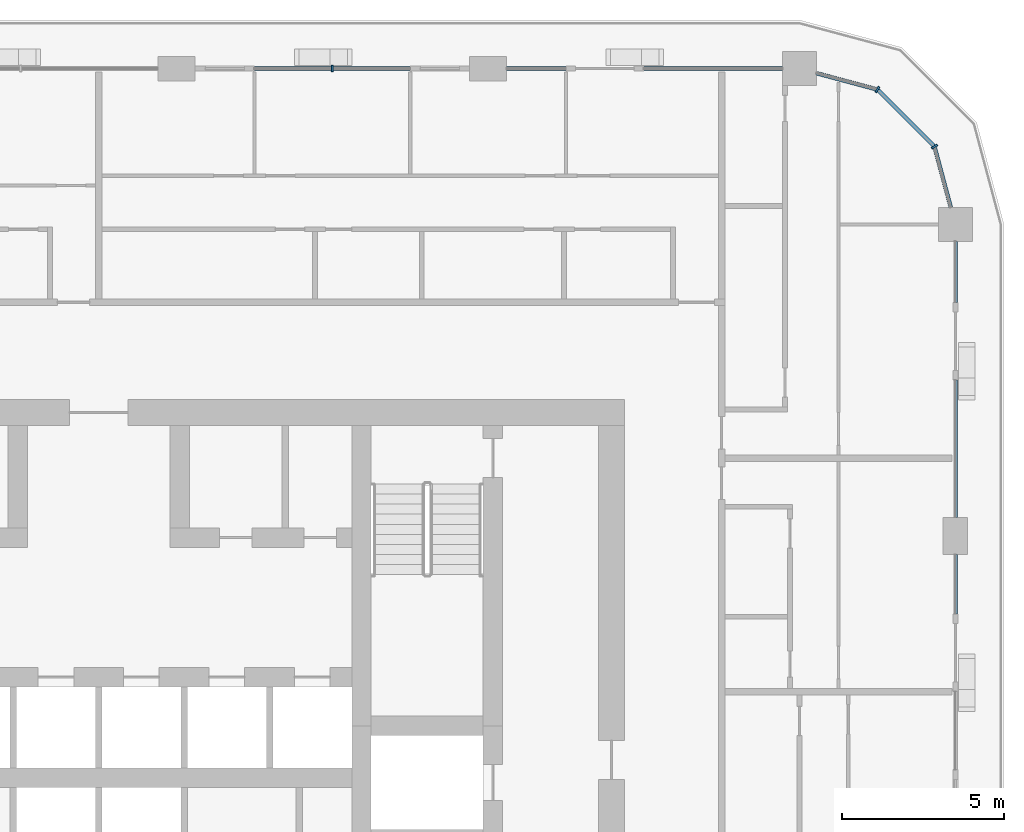
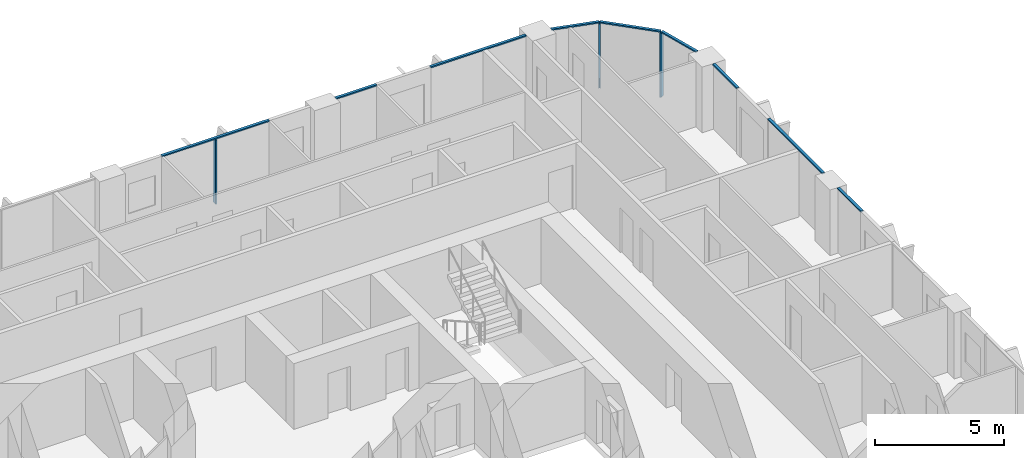
# One storey, part 6 of 22: 12 members, 5 elements without a shape of their own.
"""IFC4 building model written with IfcOpenShell, lengths in metres."""

import ifcopenshell
import ifcopenshell.guid

model = None  # the IFC model being written
_history = None  # IfcOwnerHistory: only IFC2X3 demands one
_inside = {}  # id of a spatial element -> (the spatial element, [elements in it])
_under = {}  # id of a project, library or spatial element -> (it, [spatial elements below it])
_declared = {}  # id of a project -> (the project, [libraries it declares])
_typed = {}  # id of a type object -> (the type object, [elements of that type])
_made_of = {}  # id of a material, layer set ... -> (it, [elements and type objects made of it])


def new_model(schema):
    """Start an empty IFC model of exactly this schema.

    Asked for "IFC4X3", IfcOpenShell would pick the latest addendum, in which some entities
    have other attributes; the version numbers below select the first issue.
    IFC2X3 requires an IfcOwnerHistory on every rooted entity: one is made here for all.
    """
    global model, _history
    if schema == "IFC4X3":
        model = ifcopenshell.file(schema_version=(4, 3, 0, 0))
    else:
        model = ifcopenshell.file(schema=schema)
    _inside.clear()
    _under.clear()
    _declared.clear()
    _typed.clear()
    _made_of.clear()
    _history = None
    if model.schema == "IFC2X3":
        org = make("IfcOrganization", Name="unknown")
        user = make(
            "IfcPersonAndOrganization",
            ThePerson=make("IfcPerson", FamilyName="unknown"),
            TheOrganization=org,
        )
        app = make(
            "IfcApplication",
            ApplicationDeveloper=org,
            Version="unknown",
            ApplicationFullName="unknown",
            ApplicationIdentifier="unknown",
        )
        _history = make(
            "IfcOwnerHistory",
            OwningUser=user,
            OwningApplication=app,
            ChangeAction="ADDED",
            CreationDate=0,
        )
    return model


def make(cls, **values):
    """One entity of the class cls with the attributes given. An attribute that is None is left unset."""
    return model.create_entity(
        cls, **{name: value for name, value in values.items() if value is not None}
    )


def rooted(cls, **values):
    """An entity with a GlobalId (a new one), such as an element, a storey or a relation."""
    return make(cls, GlobalId=ifcopenshell.guid.new(), OwnerHistory=_history, **values)


def si_unit(unit_type, name, prefix=None):
    """IfcSIUnit, for example si_unit("LENGTHUNIT", "METRE", prefix="MILLI")."""
    return make("IfcSIUnit", UnitType=unit_type, Prefix=prefix, Name=name)


def assignment(units):
    """IfcUnitAssignment: the units of a project."""
    return None if units is None else make("IfcUnitAssignment", Units=units)


def point(xyz):
    """IfcCartesianPoint."""
    return None if xyz is None else make("IfcCartesianPoint", Coordinates=xyz)


def direction(xyz):
    """IfcDirection."""
    return None if xyz is None else make("IfcDirection", DirectionRatios=xyz)


def frame(location, z_axis=None, x_axis=None):
    """IfcAxis2Placement3D, a coordinate frame: its origin and axes. An axis left out is left unset."""
    return make(
        "IfcAxis2Placement3D",
        Location=point(location),
        Axis=direction(z_axis),
        RefDirection=direction(x_axis),
    )


def frame_2d(location, x_axis=None):
    """IfcAxis2Placement2D, a coordinate frame in the plane: its origin and x axis."""
    return make(
        "IfcAxis2Placement2D", Location=point(location), RefDirection=direction(x_axis)
    )


def origin():
    """The frame at (0, 0, 0) with its axes left unset."""
    return frame((0.0, 0.0, 0.0))


def origin_2d():
    """The frame at (0, 0) in the plane with its x axis left unset."""
    return frame_2d((0.0, 0.0))


def place(relative_to, where):
    """IfcLocalPlacement: puts the frame where relative to a parent placement (None: the world)."""
    return make(
        "IfcLocalPlacement", PlacementRelTo=relative_to, RelativePlacement=where
    )


def context(
    kind, dimensions, precision=None, world=None, true_north=None, identifier=None
):
    """IfcGeometricRepresentationContext, for example the 3D "Model" context."""
    return make(
        "IfcGeometricRepresentationContext",
        ContextIdentifier=identifier,
        ContextType=kind,
        CoordinateSpaceDimension=dimensions,
        Precision=precision,
        WorldCoordinateSystem=world,
        TrueNorth=true_north,
    )


def subcontext(parent, identifier, kind, view, scale=None):
    """IfcGeometricRepresentationSubContext, for example "Body" below "Model"."""
    return make(
        "IfcGeometricRepresentationSubContext",
        ContextIdentifier=identifier,
        ContextType=kind,
        ParentContext=parent,
        TargetScale=scale,
        TargetView=view,
    )


def project(units=None, contexts=None):
    """IfcProject with its units and contexts."""
    return rooted(
        "IfcProject",
        Name="project",
        RepresentationContexts=contexts,
        UnitsInContext=assignment(units),
    )


def spatial(cls, under=None, at=None, **own):
    """A site, building, storey or space (cls), placed at a placement, below another one or the project."""
    s = rooted(cls, ObjectPlacement=at, **own)
    if under is not None:
        _under.setdefault(under.id(), (under, []))[1].append(s)
    return s


def profile(cls, at=None, kind="AREA", **sizes):
    """A parametric profile (cls). Its sizes go by their IFC names, for example OverallWidth=200.0."""
    return make(cls, ProfileType=kind, Position=at, **sizes)


def rectangle(**sizes):
    """IfcRectangleProfileDef."""
    return profile("IfcRectangleProfileDef", **sizes)


def extrude(swept, where, along, depth):
    """IfcExtrudedAreaSolid: the profile swept, set in the frame where, extruded along a direction by depth."""
    return make(
        "IfcExtrudedAreaSolid",
        SweptArea=swept,
        Position=where,
        ExtrudedDirection=direction(along),
        Depth=depth,
    )


def shape(context_of_items, identifier, shape_type, items):
    """IfcShapeRepresentation: the items that make up one representation, for example the "Body"."""
    return make(
        "IfcShapeRepresentation",
        ContextOfItems=context_of_items,
        RepresentationIdentifier=identifier,
        RepresentationType=shape_type,
        Items=items,
    )


def material(Name=None, Category=None):
    """IfcMaterial."""
    return make("IfcMaterial", Name=Name, Category=Category)


def layer(
    of_material, thickness, ventilated=None, Name=None, Category=None, Priority=None
):
    """IfcMaterialLayer: one layer of a wall or slab, of a material (None: an air gap)."""
    return make(
        "IfcMaterialLayer",
        Material=of_material,
        LayerThickness=thickness,
        IsVentilated=ventilated,
        Name=Name,
        Category=Category,
        Priority=Priority,
    )


def layer_set(layers, Name=None):
    """IfcMaterialLayerSet."""
    return make("IfcMaterialLayerSet", MaterialLayers=layers, LayerSetName=Name)


def material_profile(
    of_material, cross_section, Name=None, Category=None, Priority=None
):
    """IfcMaterialProfile: a cross section and its material."""
    return make(
        "IfcMaterialProfile",
        Name=Name,
        Material=of_material,
        Profile=cross_section,
        Priority=Priority,
        Category=Category,
    )


def profile_set(profiles, Name=None, composite=None):
    """IfcMaterialProfileSet."""
    return make(
        "IfcMaterialProfileSet",
        Name=Name,
        MaterialProfiles=profiles,
        CompositeProfile=composite,
    )


def made_of(thing, what):
    """Note that an element or type object is made of a material, layer set ...; save() writes the relation."""
    if what is not None:
        _made_of.setdefault(what.id(), (what, []))[1].append(thing)
    return thing


def type_object(cls, material=None, **own):
    """A type object (cls), such as IfcWallType, which elements share."""
    return made_of(rooted(cls, **own), material)


def element(
    cls,
    number,
    at=None,
    inside=None,
    cuts=None,
    type_object=None,
    material=None,
    context=None,
    identifier="Body",
    shape_type=None,
    held_by="IfcProductDefinitionShape",
    body=None,
    shapes=None,
    **own,
):
    """One element of the class cls, such as IfcWall. Its Tag is "e" and its number.

    at: its placement. inside: the storey or other place that contains it. cuts: it is an
    opening in that element (IfcRelVoidsElement). A single representation is given by context,
    identifier, shape_type and body (its items); several are given by shapes. held_by: the class
    of the entity that holds the representations. save() writes the other relations.
    """
    e = rooted(cls, Tag="e%d" % number, ObjectPlacement=at, **own)
    if body is not None:
        shapes = [shape(context, identifier, shape_type, body)]
    if shapes is not None:
        e.Representation = make(held_by, Representations=shapes)
    if inside is not None:
        _inside.setdefault(inside.id(), (inside, []))[1].append(e)
    if cuts is not None:
        rooted(
            "IfcRelVoidsElement", RelatingBuildingElement=cuts, RelatedOpeningElement=e
        )
    if type_object is not None:
        _typed.setdefault(type_object.id(), (type_object, []))[1].append(e)
    return made_of(e, material)


def aggregate(whole, parts):
    """IfcRelAggregates: a whole, such as a stair, and the parts it consists of."""
    return rooted("IfcRelAggregates", RelatingObject=whole, RelatedObjects=parts)


def save(model, path):
    """Write the relations noted so far, then the file.

    IfcRelAggregates (storeys below a building ...), IfcRelContainedInSpatialStructure (elements
    in a storey), IfcRelDefinesByType, IfcRelAssociatesMaterial and IfcRelDeclares: one each for
    every whole, place, type object, material and project.
    """
    for whole, parts in _under.values():
        aggregate(whole, parts)
    for where, things in _inside.values():
        rooted(
            "IfcRelContainedInSpatialStructure",
            RelatedElements=things,
            RelatingStructure=where,
        )
    for kind, things in _typed.values():
        rooted("IfcRelDefinesByType", RelatedObjects=things, RelatingType=kind)
    for what, things in _made_of.values():
        rooted("IfcRelAssociatesMaterial", RelatedObjects=things, RelatingMaterial=what)
    for by, libraries in _declared.values():
        rooted("IfcRelDeclares", RelatingContext=by, RelatedDefinitions=libraries)
    model.write(path)


model = new_model("IFC4")

# Units and contexts
model_context = context("Model", 3, precision=1e-05, world=origin(), true_north=direction((0.0, 1.0)))
body_context = subcontext(model_context, "Body", "Model", "MODEL_VIEW")
ifc_project = project(units=[si_unit("LENGTHUNIT", "METRE"), si_unit("AREAUNIT", "SQUARE_METRE"), si_unit("VOLUMEUNIT", "CUBIC_METRE"), si_unit("PLANEANGLEUNIT", "RADIAN"), si_unit("MASSUNIT", "GRAM", prefix="KILO")], contexts=[model_context])

# Site, building, storey
site_placement = place(None, origin())
site = spatial("IfcSite", under=ifc_project, at=site_placement, CompositionType="ELEMENT")
building_placement = place(site_placement, origin())
building = spatial("IfcBuilding", under=site, at=building_placement, Name="Madar Terraces", CompositionType="ELEMENT")
storey_placement = place(building_placement, frame((0.0, 0.0, 170.0)))
storey = spatial("IfcBuildingStorey", under=building, at=storey_placement, Name="L44", CompositionType="ELEMENT", Elevation=170.0)

# Curtain wall, member
ifc_material_1 = material(Name="Glass, ceramic frit dark grey, with black aluminium frame", Category="aluminium")
ifc_layer = layer(ifc_material_1, 0.199951171875)
ifc_layer_set = layer_set([ifc_layer], Name="Facade curtain wall, fritted glass")
curtain_wall_type = type_object("IfcCurtainWallType", Name="Facade curtain wall, fritted glass", PredefinedType="NOTDEFINED", material=ifc_layer_set)
curtain_wall_1_placement = place(storey_placement, origin())
curtain_wall_1 = element("IfcCurtainWall", 1, at=curtain_wall_1_placement, inside=storey, type_object=curtain_wall_type, Name="Outer skin curtain wall north bay 2", PredefinedType="NOTDEFINED")
ifc_material_2 = material(Name="Aluminium, black anodised", Category="aluminium")
ifc_material_profile_1 = material_profile(ifc_material_2, rectangle(XDim=0.199951171875, YDim=0.06005859375, at=origin_2d()), Name="Facade mullion 60x200")
ifc_profile_set_1 = profile_set([ifc_material_profile_1], Name="Aluminium, black anodised")
member_type_1 = type_object("IfcMemberType", Name="Facade mullion 60x200", PredefinedType="MULLION", material=ifc_profile_set_1)
member_1_placement = place(storey_placement, frame((38.39990234375, 48.0, 0.0), z_axis=(0.0, 0.0, 1.0), x_axis=(0.0, -1.0, 0.0)))
member_1 = element("IfcMember", 2, at=member_1_placement, type_object=member_type_1, Name="Mullion 1", PredefinedType="MULLION", context=body_context, shape_type="SweptSolid", body=[
    extrude(rectangle(XDim=0.199951171875, YDim=0.06005859375, at=origin_2d()), origin(), (0.0, 0.0, 1.0), 3.0400390625),
])

# Curtain wall, members
curtain_wall_2_placement = place(storey_placement, origin())
curtain_wall_2 = element("IfcCurtainWall", 3, at=curtain_wall_2_placement, inside=storey, type_object=curtain_wall_type, Name="Outer skin curtain wall north-east corner", PredefinedType="NOTDEFINED")
member_2_placement = place(storey_placement, frame((56.95703125, 45.60009765625, 0.0), z_axis=(0.0, 0.0, 1.0), x_axis=(-0.866025409797, -0.499999989586, 0.0)))
member_2 = element("IfcMember", 4, at=member_2_placement, type_object=member_type_1, Name="Mullion 1", PredefinedType="MULLION", context=body_context, shape_type="SweptSolid", body=[
    extrude(rectangle(XDim=0.199951171875, YDim=0.06005859375, at=origin_2d()), origin(), (0.0, 0.0, 1.0), 3.0400390625),
])
member_3_placement = place(storey_placement, frame((55.199951171875, 47.35693359375, 0.0), z_axis=(0.0, 0.0, 1.0), x_axis=(-0.499999989586, -0.866025409797, 0.0)))
member_3 = element("IfcMember", 5, at=member_3_placement, type_object=member_type_1, Name="Mullion 2", PredefinedType="MULLION", context=body_context, shape_type="SweptSolid", body=[
    extrude(rectangle(XDim=0.199951171875, YDim=0.06005859375, at=origin_2d()), origin(), (0.0, 0.0, 1.0), 3.0400390625),
])

# Curtain wall, member
curtain_wall_3_placement = place(storey_placement, origin())
curtain_wall_3 = element("IfcCurtainWall", 6, at=curtain_wall_3_placement, inside=storey, type_object=curtain_wall_type, Name="Outer skin curtain wall east bay 3", PredefinedType="NOTDEFINED")
ifc_material_3 = material(Name="Aluminium, black anodised", Category="aluminium")
ifc_material_profile_2 = material_profile(ifc_material_3, rectangle(XDim=0.1201171875, YDim=0.06005859375, at=origin_2d()), Name="Facade transom 60x120")
ifc_profile_set_2 = profile_set([ifc_material_profile_2], Name="Aluminium, black anodised")
member_type_2 = type_object("IfcMemberType", Name="Facade transom 60x120", PredefinedType="USERDEFINED", material=ifc_profile_set_2)
member_4_placement = place(storey_placement, frame((57.60009765625, 31.199951171875, 3.070068359375), z_axis=(0.0, 1.0, 0.0), x_axis=(-1.0, 0.0, 0.0)))
member_4 = element("IfcMember", 7, at=member_4_placement, type_object=member_type_2, Name="Transom 2", ObjectType="TRANSOM", PredefinedType="USERDEFINED", context=body_context, shape_type="SweptSolid", body=[
    extrude(rectangle(XDim=0.1201171875, YDim=0.06005859375, at=origin_2d()), origin(), (0.0, 0.0, 1.0), 1.824951171875),
])
aggregate(curtain_wall_3, [member_4])

# Curtain wall, members
curtain_wall_4_placement = place(storey_placement, origin())
curtain_wall_4 = element("IfcCurtainWall", 8, at=curtain_wall_4_placement, inside=storey, type_object=curtain_wall_type, Name="Outer skin curtain wall east bay 4", PredefinedType="NOTDEFINED")
member_5_placement = place(storey_placement, frame((57.60009765625, 34.175048828125, 3.070068359375), z_axis=(0.0, 1.0, 0.0), x_axis=(-1.0, 0.0, 0.0)))
member_5 = element("IfcMember", 9, at=member_5_placement, type_object=member_type_2, Name="Transom 1", ObjectType="TRANSOM", PredefinedType="USERDEFINED", context=body_context, shape_type="SweptSolid", body=[
    extrude(rectangle(XDim=0.1201171875, YDim=0.06005859375, at=origin_2d()), origin(), (0.0, 0.0, 1.0), 4.224853515625),
])
member_6_placement = place(storey_placement, frame((57.60009765625, 40.800048828125, 3.070068359375), z_axis=(0.0, 1.0, 0.0), x_axis=(-1.0, 0.0, 0.0)))
member_6 = element("IfcMember", 10, at=member_6_placement, type_object=member_type_2, Name="Transom 2", ObjectType="TRANSOM", PredefinedType="USERDEFINED", context=body_context, shape_type="SweptSolid", body=[
    extrude(rectangle(XDim=0.1201171875, YDim=0.06005859375, at=origin_2d()), origin(), (0.0, 0.0, 1.0), 1.875),
])
aggregate(curtain_wall_4, [member_5, member_6])

curtain_wall_5_placement = place(storey_placement, origin())
curtain_wall_5 = element("IfcCurtainWall", 11, at=curtain_wall_5_placement, inside=storey, type_object=curtain_wall_type, Name="Outer skin curtain wall north bay 1", PredefinedType="NOTDEFINED")
member_7_placement = place(storey_placement, frame((52.27490234375, 48.0, 3.070068359375), z_axis=(-1.0, 0.0, 0.0), x_axis=(0.0, -1.0, 0.0)))
member_7 = element("IfcMember", 12, at=member_7_placement, type_object=member_type_2, Name="Transom 1", ObjectType="TRANSOM", PredefinedType="USERDEFINED", context=body_context, shape_type="SweptSolid", body=[
    extrude(rectangle(XDim=0.1201171875, YDim=0.06005859375, at=origin_2d()), origin(), (0.0, 0.0, 1.0), 4.27490234375),
])
member_8_placement = place(storey_placement, frame((45.60009765625, 48.0, 3.070068359375), z_axis=(-1.0, 0.0, 0.0), x_axis=(0.0, -1.0, 0.0)))
member_8 = element("IfcMember", 13, at=member_8_placement, type_object=member_type_2, Name="Transom 2", ObjectType="TRANSOM", PredefinedType="USERDEFINED", context=body_context, shape_type="SweptSolid", body=[
    extrude(rectangle(XDim=0.1201171875, YDim=0.06005859375, at=origin_2d()), origin(), (0.0, 0.0, 1.0), 1.8251953125),
])
aggregate(curtain_wall_5, [member_7, member_8])

# Member
member_9_placement = place(storey_placement, frame((40.800048828125, 48.0, 3.070068359375), z_axis=(-1.0, 0.0, 0.0), x_axis=(0.0, -1.0, 0.0)))
member_9 = element("IfcMember", 14, at=member_9_placement, type_object=member_type_2, Name="Transom 1", ObjectType="TRANSOM", PredefinedType="USERDEFINED", context=body_context, shape_type="SweptSolid", body=[
    extrude(rectangle(XDim=0.1201171875, YDim=0.06005859375, at=origin_2d()), origin(), (0.0, 0.0, 1.0), 4.800048828125),
])

aggregate(curtain_wall_1, [member_1, member_9])

member_10_placement = place(storey_placement, frame((57.459228515625, 43.72509765625, 3.070068359375), z_axis=(-0.258823354654, 0.965924671538, 0.0), x_axis=(-0.965924671538, -0.258823354654, 0.0)))
member_10 = element("IfcMember", 15, at=member_10_placement, type_object=member_type_2, Name="Transom 1", ObjectType="TRANSOM", PredefinedType="USERDEFINED", context=body_context, shape_type="SweptSolid", body=[
    extrude(rectangle(XDim=0.1201171875, YDim=0.06005859375, at=origin_2d()), origin(), (0.0, 0.0, 1.0), 1.9111328125),
])

member_11_placement = place(storey_placement, frame((56.935791015625, 45.62109375, 3.070068359375), z_axis=(-0.707106781187, 0.707106781187, 0.0), x_axis=(-0.707106781187, -0.707106781187, 0.0)))
member_11 = element("IfcMember", 16, at=member_11_placement, type_object=member_type_2, Name="Transom 2", ObjectType="TRANSOM", PredefinedType="USERDEFINED", context=body_context, shape_type="SweptSolid", body=[
    extrude(rectangle(XDim=0.1201171875, YDim=0.06005859375, at=origin_2d()), origin(), (0.0, 0.0, 1.0), 2.4248046875),
])

member_12_placement = place(storey_placement, frame((55.171142578125, 47.36474609375, 3.070068359375), z_axis=(-0.965933227928, 0.25879142023, 0.0), x_axis=(-0.25879142023, -0.965933227928, 0.0)))
member_12 = element("IfcMember", 17, at=member_12_placement, type_object=member_type_2, Name="Transom 3", ObjectType="TRANSOM", PredefinedType="USERDEFINED", context=body_context, shape_type="SweptSolid", body=[
    extrude(rectangle(XDim=0.1201171875, YDim=0.06005859375, at=origin_2d()), origin(), (0.0, 0.0, 1.0), 1.911376953125),
])

aggregate(curtain_wall_2, [member_2, member_10, member_3, member_11, member_12])

save(model, "model.ifc")
